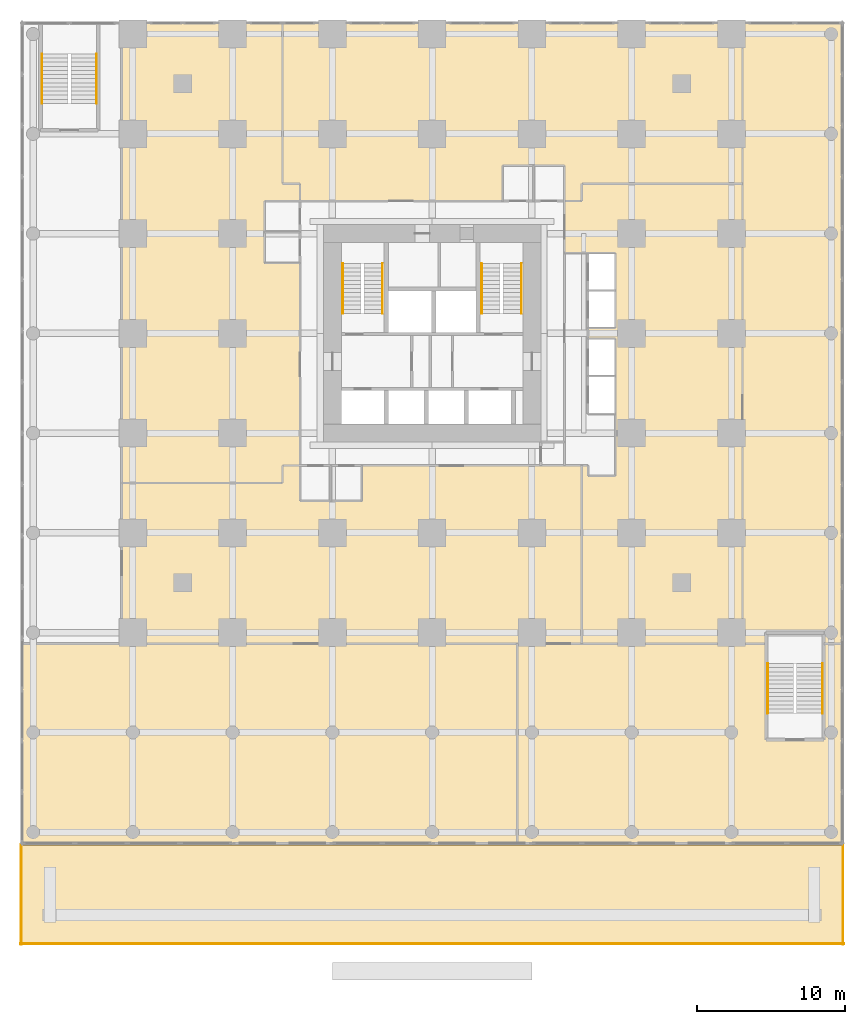
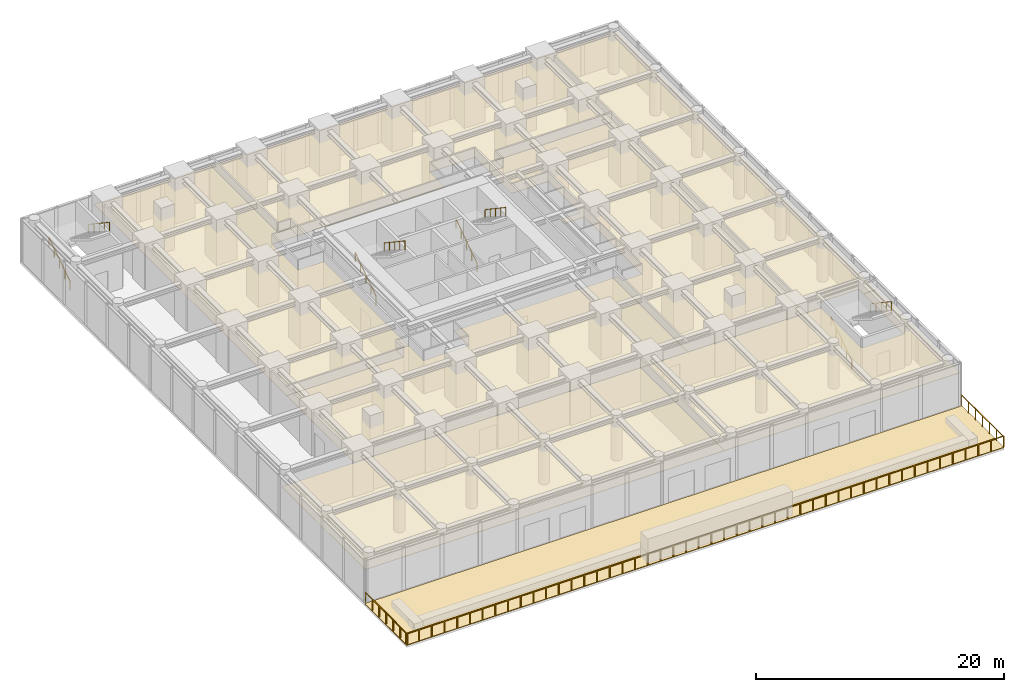
# One storey, part 11 of 11: 11 railings, 8 coverings.
"""IFC4 building model written with IfcOpenShell, lengths in metres."""

from ifc_helpers import new_model, si_unit, direction, frame, origin, origin_2d, place, context, subcontext, project, spatial, polyline, rectangle, outline, extrude, material, layer, layer_set, type_object, element, save


model = new_model("IFC4")

# Units and contexts
model_context = context("Model", 3, precision=1e-05, world=origin(), true_north=direction((0.0, 1.0)))
body_context = subcontext(model_context, "Body", "Model", "MODEL_VIEW")
ifc_project = project(units=[si_unit("LENGTHUNIT", "METRE"), si_unit("AREAUNIT", "SQUARE_METRE"), si_unit("VOLUMEUNIT", "CUBIC_METRE"), si_unit("PLANEANGLEUNIT", "RADIAN"), si_unit("MASSUNIT", "GRAM", prefix="KILO")], contexts=[model_context])

# Site, building, storey
site_placement = place(None, origin())
site = spatial("IfcSite", under=ifc_project, at=site_placement, CompositionType="ELEMENT")
building_placement = place(site_placement, origin())
building = spatial("IfcBuilding", under=site, at=building_placement, Name="Nyansa Garden Tower", CompositionType="ELEMENT")
storey_placement = place(building_placement, frame((0.0, 0.0, 4.5)))
storey = spatial("IfcBuildingStorey", under=building, at=storey_placement, Name="L01", CompositionType="ELEMENT", Elevation=4.5)

# Railings
ifc_material_1 = material(Name="Black powder-coated steel tube 48 mm", Category="steel")
railing_type_1 = type_object("IfcRailingType", Name="Stair handrail HR1", PredefinedType="HANDRAIL", material=ifc_material_1)
railing_1_placement = place(storey_placement, frame((14.199951171875, 21.60009765625, 0.0)))
element("IfcRailing", 1, at=railing_1_placement, inside=storey, type_object=railing_type_1, Name="Stair S1 handrail L01", PredefinedType="HANDRAIL", context=body_context, shape_type="SweptSolid", body=[
    extrude(rectangle(XDim=0.048095703125, YDim=0.048095703125, at=origin_2d()), frame((0.0, 0.0, 0.8759765625), z_axis=(0.0, 0.830896709279, 0.556426687452), x_axis=(-1.0, 0.0, 0.0)), (0.0, 0.0, 1.0), 4.043701171875),
    extrude(rectangle(XDim=0.0419921875, YDim=0.0419921875, at=origin_2d()), origin(), (0.0, 0.0, 1.0), 0.851806640625),
    extrude(rectangle(XDim=0.0419921875, YDim=0.0419921875, at=origin_2d()), frame((0.0, 0.83984375, 0.5625)), (0.0, 0.0, 1.0), 0.851806640625),
    extrude(rectangle(XDim=0.0419921875, YDim=0.0419921875, at=origin_2d()), frame((0.0, 1.679931640625, 1.125)), (0.0, 0.0, 1.0), 0.851806640625),
    extrude(rectangle(XDim=0.0419921875, YDim=0.0419921875, at=origin_2d()), frame((0.0, 2.52001953125, 1.6875)), (0.0, 0.0, 1.0), 0.851806640625),
    extrude(rectangle(XDim=0.0419921875, YDim=0.0419921875, at=origin_2d()), frame((0.0, 3.35986328125, 2.25)), (0.0, 0.0, 1.0), 0.851806640625),
])
railing_2_placement = place(storey_placement, frame((16.89990234375, 24.9599609375, 2.25)))
element("IfcRailing", 2, at=railing_2_placement, inside=storey, type_object=railing_type_1, Name="Stair S1 handrail L01", PredefinedType="HANDRAIL", context=body_context, shape_type="SweptSolid", body=[
    extrude(rectangle(XDim=0.048095703125, YDim=0.048095703125, at=origin_2d()), frame((0.0, 0.0, 0.8759765625), z_axis=(0.0, -0.830896709279, 0.556426687452), x_axis=(1.0, 0.0, 0.0)), (0.0, 0.0, 1.0), 4.043701171875),
    extrude(rectangle(XDim=0.0419921875, YDim=0.0419921875, at=origin_2d()), origin(), (0.0, 0.0, 1.0), 0.851806640625),
    extrude(rectangle(XDim=0.0419921875, YDim=0.0419921875, at=origin_2d()), frame((0.0, -0.83984375, 0.5625)), (0.0, 0.0, 1.0), 0.851806640625),
    extrude(rectangle(XDim=0.0419921875, YDim=0.0419921875, at=origin_2d()), frame((0.0, -1.679931640625, 1.125)), (0.0, 0.0, 1.0), 0.851806640625),
    extrude(rectangle(XDim=0.0419921875, YDim=0.0419921875, at=origin_2d()), frame((0.0, -2.52001953125, 1.6875)), (0.0, 0.0, 1.0), 0.851806640625),
    extrude(rectangle(XDim=0.0419921875, YDim=0.0419921875, at=origin_2d()), frame((0.0, -3.35986328125, 2.25)), (0.0, 0.0, 1.0), 0.851806640625),
])
railing_3_placement = place(storey_placement, frame((23.60009765625, 21.60009765625, 0.0)))
element("IfcRailing", 3, at=railing_3_placement, inside=storey, type_object=railing_type_1, Name="Stair S2 handrail L01", PredefinedType="HANDRAIL", context=body_context, shape_type="SweptSolid", body=[
    extrude(rectangle(XDim=0.048095703125, YDim=0.048095703125, at=origin_2d()), frame((0.0, 0.0, 0.8759765625), z_axis=(0.0, 0.830896709279, 0.556426687452), x_axis=(-1.0, 0.0, 0.0)), (0.0, 0.0, 1.0), 4.043701171875),
    extrude(rectangle(XDim=0.0419921875, YDim=0.0419921875, at=origin_2d()), origin(), (0.0, 0.0, 1.0), 0.851806640625),
    extrude(rectangle(XDim=0.0419921875, YDim=0.0419921875, at=origin_2d()), frame((0.0, 0.83984375, 0.5625)), (0.0, 0.0, 1.0), 0.851806640625),
    extrude(rectangle(XDim=0.0419921875, YDim=0.0419921875, at=origin_2d()), frame((0.0, 1.679931640625, 1.125)), (0.0, 0.0, 1.0), 0.851806640625),
    extrude(rectangle(XDim=0.0419921875, YDim=0.0419921875, at=origin_2d()), frame((0.0, 2.52001953125, 1.6875)), (0.0, 0.0, 1.0), 0.851806640625),
    extrude(rectangle(XDim=0.0419921875, YDim=0.0419921875, at=origin_2d()), frame((0.0, 3.35986328125, 2.25)), (0.0, 0.0, 1.0), 0.851806640625),
])
railing_4_placement = place(storey_placement, frame((26.300048828125, 24.9599609375, 2.25)))
element("IfcRailing", 4, at=railing_4_placement, inside=storey, type_object=railing_type_1, Name="Stair S2 handrail L01", PredefinedType="HANDRAIL", context=body_context, shape_type="SweptSolid", body=[
    extrude(rectangle(XDim=0.048095703125, YDim=0.048095703125, at=origin_2d()), frame((0.0, 0.0, 0.8759765625), z_axis=(0.0, -0.830896709279, 0.556426687452), x_axis=(1.0, 0.0, 0.0)), (0.0, 0.0, 1.0), 4.043701171875),
    extrude(rectangle(XDim=0.0419921875, YDim=0.0419921875, at=origin_2d()), origin(), (0.0, 0.0, 1.0), 0.851806640625),
    extrude(rectangle(XDim=0.0419921875, YDim=0.0419921875, at=origin_2d()), frame((0.0, -0.83984375, 0.5625)), (0.0, 0.0, 1.0), 0.851806640625),
    extrude(rectangle(XDim=0.0419921875, YDim=0.0419921875, at=origin_2d()), frame((0.0, -1.679931640625, 1.125)), (0.0, 0.0, 1.0), 0.851806640625),
    extrude(rectangle(XDim=0.0419921875, YDim=0.0419921875, at=origin_2d()), frame((0.0, -2.52001953125, 1.6875)), (0.0, 0.0, 1.0), 0.851806640625),
    extrude(rectangle(XDim=0.0419921875, YDim=0.0419921875, at=origin_2d()), frame((0.0, -3.35986328125, 2.25)), (0.0, 0.0, 1.0), 0.851806640625),
])
railing_5_placement = place(storey_placement, frame((-6.14990234375, 35.800048828125, 0.0)))
element("IfcRailing", 5, at=railing_5_placement, inside=storey, type_object=railing_type_1, Name="Stair S3 handrail L01", PredefinedType="HANDRAIL", context=body_context, shape_type="SweptSolid", body=[
    extrude(rectangle(XDim=0.048095703125, YDim=0.048095703125, at=origin_2d()), frame((0.0, 0.0, 0.8759765625), z_axis=(0.0, 0.830896709279, 0.556426687452), x_axis=(-1.0, 0.0, 0.0)), (0.0, 0.0, 1.0), 4.043701171875),
    extrude(rectangle(XDim=0.0419921875, YDim=0.0419921875, at=origin_2d()), origin(), (0.0, 0.0, 1.0), 0.851806640625),
    extrude(rectangle(XDim=0.0419921875, YDim=0.0419921875, at=origin_2d()), frame((0.0, 0.83984375, 0.5625)), (0.0, 0.0, 1.0), 0.851806640625),
    extrude(rectangle(XDim=0.0419921875, YDim=0.0419921875, at=origin_2d()), frame((0.0, 1.679931640625, 1.125)), (0.0, 0.0, 1.0), 0.851806640625),
    extrude(rectangle(XDim=0.0419921875, YDim=0.0419921875, at=origin_2d()), frame((0.0, 2.52001953125, 1.6875)), (0.0, 0.0, 1.0), 0.851806640625),
    extrude(rectangle(XDim=0.0419921875, YDim=0.0419921875, at=origin_2d()), frame((0.0, 3.35986328125, 2.25)), (0.0, 0.0, 1.0), 0.851806640625),
])
railing_6_placement = place(storey_placement, frame((-2.449951171875, 39.159912109375, 2.25)))
element("IfcRailing", 6, at=railing_6_placement, inside=storey, type_object=railing_type_1, Name="Stair S3 handrail L01", PredefinedType="HANDRAIL", context=body_context, shape_type="SweptSolid", body=[
    extrude(rectangle(XDim=0.048095703125, YDim=0.048095703125, at=origin_2d()), frame((0.0, 0.0, 0.8759765625), z_axis=(0.0, -0.830896709279, 0.556426687452), x_axis=(1.0, 0.0, 0.0)), (0.0, 0.0, 1.0), 4.043701171875),
    extrude(rectangle(XDim=0.0419921875, YDim=0.0419921875, at=origin_2d()), origin(), (0.0, 0.0, 1.0), 0.851806640625),
    extrude(rectangle(XDim=0.0419921875, YDim=0.0419921875, at=origin_2d()), frame((0.0, -0.83984375, 0.5625)), (0.0, 0.0, 1.0), 0.851806640625),
    extrude(rectangle(XDim=0.0419921875, YDim=0.0419921875, at=origin_2d()), frame((0.0, -1.679931640625, 1.125)), (0.0, 0.0, 1.0), 0.851806640625),
    extrude(rectangle(XDim=0.0419921875, YDim=0.0419921875, at=origin_2d()), frame((0.0, -2.52001953125, 1.6875)), (0.0, 0.0, 1.0), 0.851806640625),
    extrude(rectangle(XDim=0.0419921875, YDim=0.0419921875, at=origin_2d()), frame((0.0, -3.35986328125, 2.25)), (0.0, 0.0, 1.0), 0.851806640625),
])
railing_7_placement = place(storey_placement, frame((42.949951171875, -5.449951171875, 0.0)))
element("IfcRailing", 7, at=railing_7_placement, inside=storey, type_object=railing_type_1, Name="Stair S4 handrail L01", PredefinedType="HANDRAIL", context=body_context, shape_type="SweptSolid", body=[
    extrude(rectangle(XDim=0.048095703125, YDim=0.048095703125, at=origin_2d()), frame((0.0, 0.0, 0.8759765625), z_axis=(0.0, 0.830896709279, 0.556426687452), x_axis=(-1.0, 0.0, 0.0)), (0.0, 0.0, 1.0), 4.043701171875),
    extrude(rectangle(XDim=0.0419921875, YDim=0.0419921875, at=origin_2d()), origin(), (0.0, 0.0, 1.0), 0.851806640625),
    extrude(rectangle(XDim=0.0419921875, YDim=0.0419921875, at=origin_2d()), frame((0.0, 0.83984375, 0.5625)), (0.0, 0.0, 1.0), 0.851806640625),
    extrude(rectangle(XDim=0.0419921875, YDim=0.0419921875, at=origin_2d()), frame((0.0, 1.679931640625, 1.125)), (0.0, 0.0, 1.0), 0.851806640625),
    extrude(rectangle(XDim=0.0419921875, YDim=0.0419921875, at=origin_2d()), frame((0.0, 2.52001953125, 1.6875)), (0.0, 0.0, 1.0), 0.851806640625),
    extrude(rectangle(XDim=0.0419921875, YDim=0.0419921875, at=origin_2d()), frame((0.0, 3.35986328125, 2.25)), (0.0, 0.0, 1.0), 0.851806640625),
])
railing_8_placement = place(storey_placement, frame((46.64990234375, -2.090087890625, 2.25)))
element("IfcRailing", 8, at=railing_8_placement, inside=storey, type_object=railing_type_1, Name="Stair S4 handrail L01", PredefinedType="HANDRAIL", context=body_context, shape_type="SweptSolid", body=[
    extrude(rectangle(XDim=0.048095703125, YDim=0.048095703125, at=origin_2d()), frame((0.0, 0.0, 0.8759765625), z_axis=(0.0, -0.830896709279, 0.556426687452), x_axis=(1.0, 0.0, 0.0)), (0.0, 0.0, 1.0), 4.043701171875),
    extrude(rectangle(XDim=0.0419921875, YDim=0.0419921875, at=origin_2d()), origin(), (0.0, 0.0, 1.0), 0.851806640625),
    extrude(rectangle(XDim=0.0419921875, YDim=0.0419921875, at=origin_2d()), frame((0.0, -0.83984375, 0.5625)), (0.0, 0.0, 1.0), 0.851806640625),
    extrude(rectangle(XDim=0.0419921875, YDim=0.0419921875, at=origin_2d()), frame((0.0, -1.679931640625, 1.125)), (0.0, 0.0, 1.0), 0.851806640625),
    extrude(rectangle(XDim=0.0419921875, YDim=0.0419921875, at=origin_2d()), frame((0.0, -2.52001953125, 1.6875)), (0.0, 0.0, 1.0), 0.851806640625),
    extrude(rectangle(XDim=0.0419921875, YDim=0.0419921875, at=origin_2d()), frame((0.0, -3.35986328125, 2.25)), (0.0, 0.0, 1.0), 0.851806640625),
])
ifc_material_2 = material(Name="Black powder-coated steel, laminated glass infill", Category="steel")
railing_type_2 = type_object("IfcRailingType", Name="Terrace guard G2", PredefinedType="GUARDRAIL", material=ifc_material_2)
railing_9_placement = place(storey_placement, frame((48.050048828125, -14.35009765625, 0.0)))
element("IfcRailing", 9, at=railing_9_placement, inside=storey, type_object=railing_type_2, Name="Terrace guard L01", PredefinedType="GUARDRAIL", context=body_context, shape_type="SweptSolid", body=[
    extrude(rectangle(XDim=0.048095703125, YDim=0.048095703125, at=origin_2d()), frame((0.0, 0.0, 1.076171875), z_axis=(0.0, -1.0, 0.0), x_axis=(1.0, 0.0, 0.0)), (0.0, 0.0, 1.0), 6.75),
    extrude(rectangle(XDim=0.0419921875, YDim=0.0419921875, at=origin_2d()), origin(), (0.0, 0.0, 1.0), 1.052001953125),
    extrude(rectangle(XDim=0.0419921875, YDim=0.0419921875, at=origin_2d()), frame((0.0, -1.125, 0.0)), (0.0, 0.0, 1.0), 1.052001953125),
    extrude(rectangle(XDim=0.0419921875, YDim=0.0419921875, at=origin_2d()), frame((0.0, -2.25, 0.0)), (0.0, 0.0, 1.0), 1.052001953125),
    extrude(rectangle(XDim=0.0419921875, YDim=0.0419921875, at=origin_2d()), frame((0.0, -3.375, 0.0)), (0.0, 0.0, 1.0), 1.052001953125),
    extrude(rectangle(XDim=0.0419921875, YDim=0.0419921875, at=origin_2d()), frame((0.0, -4.5, 0.0)), (0.0, 0.0, 1.0), 1.052001953125),
    extrude(rectangle(XDim=0.0419921875, YDim=0.0419921875, at=origin_2d()), frame((0.0, -5.625, 0.0)), (0.0, 0.0, 1.0), 1.052001953125),
    extrude(rectangle(XDim=0.0419921875, YDim=0.0419921875, at=origin_2d()), frame((0.0, -6.75, 0.0)), (0.0, 0.0, 1.0), 1.052001953125),
])
railing_10_placement = place(storey_placement, frame((48.10009765625, -21.050048828125, 0.0)))
element("IfcRailing", 10, at=railing_10_placement, inside=storey, type_object=railing_type_2, Name="Terrace guard L01", PredefinedType="GUARDRAIL", context=body_context, shape_type="SweptSolid", body=[
    extrude(rectangle(XDim=0.048095703125, YDim=0.048095703125, at=origin_2d()), frame((0.0, 0.0, 1.076171875), z_axis=(-1.0, 0.0, 0.0), x_axis=(0.0, -1.0, 0.0)), (0.0, 0.0, 1.0), 55.7001953125),
    extrude(rectangle(XDim=0.0419921875, YDim=0.0419921875, at=origin_2d()), origin(), (0.0, 0.0, 1.0), 1.052001953125),
    extrude(rectangle(XDim=0.0419921875, YDim=0.0419921875, at=origin_2d()), frame((-1.18505859375, 0.0, 0.0)), (0.0, 0.0, 1.0), 1.052001953125),
    extrude(rectangle(XDim=0.0419921875, YDim=0.0419921875, at=origin_2d()), frame((-2.3701171875, 0.0, 0.0)), (0.0, 0.0, 1.0), 1.052001953125),
    extrude(rectangle(XDim=0.0419921875, YDim=0.0419921875, at=origin_2d()), frame((-3.555419921875, 0.0, 0.0)), (0.0, 0.0, 1.0), 1.052001953125),
    extrude(rectangle(XDim=0.0419921875, YDim=0.0419921875, at=origin_2d()), frame((-4.740478515625, 0.0, 0.0)), (0.0, 0.0, 1.0), 1.052001953125),
    extrude(rectangle(XDim=0.0419921875, YDim=0.0419921875, at=origin_2d()), frame((-5.925537109375, 0.0, 0.0)), (0.0, 0.0, 1.0), 1.052001953125),
    extrude(rectangle(XDim=0.0419921875, YDim=0.0419921875, at=origin_2d()), frame((-7.110595703125, 0.0, 0.0)), (0.0, 0.0, 1.0), 1.052001953125),
    extrude(rectangle(XDim=0.0419921875, YDim=0.0419921875, at=origin_2d()), frame((-8.295654296875, 0.0, 0.0)), (0.0, 0.0, 1.0), 1.052001953125),
    extrude(rectangle(XDim=0.0419921875, YDim=0.0419921875, at=origin_2d()), frame((-9.48095703125, 0.0, 0.0)), (0.0, 0.0, 1.0), 1.052001953125),
    extrude(rectangle(XDim=0.0419921875, YDim=0.0419921875, at=origin_2d()), frame((-10.666015625, 0.0, 0.0)), (0.0, 0.0, 1.0), 1.052001953125),
    extrude(rectangle(XDim=0.0419921875, YDim=0.0419921875, at=origin_2d()), frame((-11.85107421875, 0.0, 0.0)), (0.0, 0.0, 1.0), 1.052001953125),
    extrude(rectangle(XDim=0.0419921875, YDim=0.0419921875, at=origin_2d()), frame((-13.0361328125, 0.0, 0.0)), (0.0, 0.0, 1.0), 1.052001953125),
    extrude(rectangle(XDim=0.0419921875, YDim=0.0419921875, at=origin_2d()), frame((-14.221435546875, 0.0, 0.0)), (0.0, 0.0, 1.0), 1.052001953125),
    extrude(rectangle(XDim=0.0419921875, YDim=0.0419921875, at=origin_2d()), frame((-15.406494140625, 0.0, 0.0)), (0.0, 0.0, 1.0), 1.052001953125),
    extrude(rectangle(XDim=0.0419921875, YDim=0.0419921875, at=origin_2d()), frame((-16.591552734375, 0.0, 0.0)), (0.0, 0.0, 1.0), 1.052001953125),
    extrude(rectangle(XDim=0.0419921875, YDim=0.0419921875, at=origin_2d()), frame((-17.776611328125, 0.0, 0.0)), (0.0, 0.0, 1.0), 1.052001953125),
    extrude(rectangle(XDim=0.0419921875, YDim=0.0419921875, at=origin_2d()), frame((-18.961669921875, 0.0, 0.0)), (0.0, 0.0, 1.0), 1.052001953125),
    extrude(rectangle(XDim=0.0419921875, YDim=0.0419921875, at=origin_2d()), frame((-20.14697265625, 0.0, 0.0)), (0.0, 0.0, 1.0), 1.052001953125),
    extrude(rectangle(XDim=0.0419921875, YDim=0.0419921875, at=origin_2d()), frame((-21.33203125, 0.0, 0.0)), (0.0, 0.0, 1.0), 1.052001953125),
    extrude(rectangle(XDim=0.0419921875, YDim=0.0419921875, at=origin_2d()), frame((-22.51708984375, 0.0, 0.0)), (0.0, 0.0, 1.0), 1.052001953125),
    extrude(rectangle(XDim=0.0419921875, YDim=0.0419921875, at=origin_2d()), frame((-23.7021484375, 0.0, 0.0)), (0.0, 0.0, 1.0), 1.052001953125),
    extrude(rectangle(XDim=0.0419921875, YDim=0.0419921875, at=origin_2d()), frame((-24.88720703125, 0.0, 0.0)), (0.0, 0.0, 1.0), 1.052001953125),
    extrude(rectangle(XDim=0.0419921875, YDim=0.0419921875, at=origin_2d()), frame((-26.072509765625, 0.0, 0.0)), (0.0, 0.0, 1.0), 1.052001953125),
    extrude(rectangle(XDim=0.0419921875, YDim=0.0419921875, at=origin_2d()), frame((-27.257568359375, 0.0, 0.0)), (0.0, 0.0, 1.0), 1.052001953125),
    extrude(rectangle(XDim=0.0419921875, YDim=0.0419921875, at=origin_2d()), frame((-28.442626953125, 0.0, 0.0)), (0.0, 0.0, 1.0), 1.052001953125),
    extrude(rectangle(XDim=0.0419921875, YDim=0.0419921875, at=origin_2d()), frame((-29.627685546875, 0.0, 0.0)), (0.0, 0.0, 1.0), 1.052001953125),
    extrude(rectangle(XDim=0.0419921875, YDim=0.0419921875, at=origin_2d()), frame((-30.81298828125, 0.0, 0.0)), (0.0, 0.0, 1.0), 1.052001953125),
    extrude(rectangle(XDim=0.0419921875, YDim=0.0419921875, at=origin_2d()), frame((-31.998046875, 0.0, 0.0)), (0.0, 0.0, 1.0), 1.052001953125),
    extrude(rectangle(XDim=0.0419921875, YDim=0.0419921875, at=origin_2d()), frame((-33.18310546875, 0.0, 0.0)), (0.0, 0.0, 1.0), 1.052001953125),
    extrude(rectangle(XDim=0.0419921875, YDim=0.0419921875, at=origin_2d()), frame((-34.3681640625, 0.0, 0.0)), (0.0, 0.0, 1.0), 1.052001953125),
    extrude(rectangle(XDim=0.0419921875, YDim=0.0419921875, at=origin_2d()), frame((-35.55322265625, 0.0, 0.0)), (0.0, 0.0, 1.0), 1.052001953125),
    extrude(rectangle(XDim=0.0419921875, YDim=0.0419921875, at=origin_2d()), frame((-36.738525390625, 0.0, 0.0)), (0.0, 0.0, 1.0), 1.052001953125),
    extrude(rectangle(XDim=0.0419921875, YDim=0.0419921875, at=origin_2d()), frame((-37.923583984375, 0.0, 0.0)), (0.0, 0.0, 1.0), 1.052001953125),
    extrude(rectangle(XDim=0.0419921875, YDim=0.0419921875, at=origin_2d()), frame((-39.108642578125, 0.0, 0.0)), (0.0, 0.0, 1.0), 1.052001953125),
    extrude(rectangle(XDim=0.0419921875, YDim=0.0419921875, at=origin_2d()), frame((-40.293701171875, 0.0, 0.0)), (0.0, 0.0, 1.0), 1.052001953125),
    extrude(rectangle(XDim=0.0419921875, YDim=0.0419921875, at=origin_2d()), frame((-41.478759765625, 0.0, 0.0)), (0.0, 0.0, 1.0), 1.052001953125),
    extrude(rectangle(XDim=0.0419921875, YDim=0.0419921875, at=origin_2d()), frame((-42.6640625, 0.0, 0.0)), (0.0, 0.0, 1.0), 1.052001953125),
    extrude(rectangle(XDim=0.0419921875, YDim=0.0419921875, at=origin_2d()), frame((-43.84912109375, 0.0, 0.0)), (0.0, 0.0, 1.0), 1.052001953125),
    extrude(rectangle(XDim=0.0419921875, YDim=0.0419921875, at=origin_2d()), frame((-45.0341796875, 0.0, 0.0)), (0.0, 0.0, 1.0), 1.052001953125),
    extrude(rectangle(XDim=0.0419921875, YDim=0.0419921875, at=origin_2d()), frame((-46.21923828125, 0.0, 0.0)), (0.0, 0.0, 1.0), 1.052001953125),
    extrude(rectangle(XDim=0.0419921875, YDim=0.0419921875, at=origin_2d()), frame((-47.404541015625, 0.0, 0.0)), (0.0, 0.0, 1.0), 1.052001953125),
    extrude(rectangle(XDim=0.0419921875, YDim=0.0419921875, at=origin_2d()), frame((-48.589599609375, 0.0, 0.0)), (0.0, 0.0, 1.0), 1.052001953125),
    extrude(rectangle(XDim=0.0419921875, YDim=0.0419921875, at=origin_2d()), frame((-49.774658203125, 0.0, 0.0)), (0.0, 0.0, 1.0), 1.052001953125),
    extrude(rectangle(XDim=0.0419921875, YDim=0.0419921875, at=origin_2d()), frame((-50.959716796875, 0.0, 0.0)), (0.0, 0.0, 1.0), 1.052001953125),
    extrude(rectangle(XDim=0.0419921875, YDim=0.0419921875, at=origin_2d()), frame((-52.144775390625, 0.0, 0.0)), (0.0, 0.0, 1.0), 1.052001953125),
    extrude(rectangle(XDim=0.0419921875, YDim=0.0419921875, at=origin_2d()), frame((-53.330078125, 0.0, 0.0)), (0.0, 0.0, 1.0), 1.052001953125),
    extrude(rectangle(XDim=0.0419921875, YDim=0.0419921875, at=origin_2d()), frame((-54.51513671875, 0.0, 0.0)), (0.0, 0.0, 1.0), 1.052001953125),
    extrude(rectangle(XDim=0.0419921875, YDim=0.0419921875, at=origin_2d()), frame((-55.7001953125, 0.0, 0.0)), (0.0, 0.0, 1.0), 1.052001953125),
])
railing_11_placement = place(storey_placement, frame((-7.550048828125, -21.10009765625, 0.0)))
element("IfcRailing", 11, at=railing_11_placement, inside=storey, type_object=railing_type_2, Name="Terrace guard L01", PredefinedType="GUARDRAIL", context=body_context, shape_type="SweptSolid", body=[
    extrude(rectangle(XDim=0.048095703125, YDim=0.048095703125, at=origin_2d()), frame((0.0, 0.0, 1.076171875), z_axis=(0.0, 1.0, 0.0), x_axis=(-1.0, 0.0, 0.0)), (0.0, 0.0, 1.0), 6.75),
    extrude(rectangle(XDim=0.0419921875, YDim=0.0419921875, at=origin_2d()), origin(), (0.0, 0.0, 1.0), 1.052001953125),
    extrude(rectangle(XDim=0.0419921875, YDim=0.0419921875, at=origin_2d()), frame((0.0, 1.125, 0.0)), (0.0, 0.0, 1.0), 1.052001953125),
    extrude(rectangle(XDim=0.0419921875, YDim=0.0419921875, at=origin_2d()), frame((0.0, 2.25, 0.0)), (0.0, 0.0, 1.0), 1.052001953125),
    extrude(rectangle(XDim=0.0419921875, YDim=0.0419921875, at=origin_2d()), frame((0.0, 3.375, 0.0)), (0.0, 0.0, 1.0), 1.052001953125),
    extrude(rectangle(XDim=0.0419921875, YDim=0.0419921875, at=origin_2d()), frame((0.0, 4.5, 0.0)), (0.0, 0.0, 1.0), 1.052001953125),
    extrude(rectangle(XDim=0.0419921875, YDim=0.0419921875, at=origin_2d()), frame((0.0, 5.625, 0.0)), (0.0, 0.0, 1.0), 1.052001953125),
    extrude(rectangle(XDim=0.0419921875, YDim=0.0419921875, at=origin_2d()), frame((0.0, 6.75, 0.0)), (0.0, 0.0, 1.0), 1.052001953125),
])

# Coverings
ifc_material_3 = material(Name="Terracotta and turquoise glazed tile paving on pedestals", Category="masonry")
ifc_layer_1 = layer(ifc_material_3, 0.06005859375)
ifc_layer_set_1 = layer_set([ifc_layer_1], Name="Terrace paving PV60")
covering_type_1 = type_object("IfcCoveringType", Name="Terrace paving PV60", PredefinedType="USERDEFINED", material=ifc_layer_set_1)
covering_1_placement = place(storey_placement, frame((0.0, 0.0, -0.06005859375)))
element("IfcCovering", 12, at=covering_1_placement, inside=storey, type_object=covering_type_1, Name="Terrace paving L01", ObjectType="PAVING", PredefinedType="USERDEFINED", context=body_context, shape_type="SweptSolid", body=[
    extrude(outline(polyline([(-7.60009765625, -21.10009765625), (-7.60009765625, -14.35009765625), (48.10009765625, -14.35009765625), (48.10009765625, -21.10009765625), (-7.60009765625, -21.10009765625)])), origin(), (0.0, 0.0, 1.0), 0.06005859375),
])
ifc_material_4 = material(Name="Glazed ceramic tile coffers on suspended grid")
ifc_layer_2 = layer(ifc_material_4, 0.0400390625)
ifc_layer_set_2 = layer_set([ifc_layer_2], Name="Tiled coffered ceiling CL40")
covering_type_2 = type_object("IfcCoveringType", Name="Tiled coffered ceiling CL40", PredefinedType="CEILING", material=ifc_layer_set_2)
covering_2_placement = place(storey_placement, frame((0.0, 0.0, 3.2099609375)))
element("IfcCovering", 13, at=covering_2_placement, inside=storey, type_object=covering_type_2, Name="Ceiling L01-020", PredefinedType="CEILING", context=body_context, shape_type="SweptSolid", body=[
    extrude(outline(polyline([(10.125, 10.125), (10.125, 11.300048828125), (11.300048828125, 11.300048828125), (11.300048828125, 8.89990234375), (15.5, 8.89990234375), (15.5, 11.300048828125), (30.375, 11.300048828125), (30.375, -0.75), (-0.75, -0.75), (-0.75, 10.125), (10.125, 10.125)])), origin(), (0.0, 0.0, 1.0), 0.0400390625),
])
covering_3_placement = place(storey_placement, frame((0.0, 0.0, 3.2099609375)))
element("IfcCovering", 14, at=covering_3_placement, inside=storey, type_object=covering_type_2, Name="Ceiling L01-023", PredefinedType="CEILING", context=body_context, shape_type="SweptSolid", body=[
    extrude(outline(polyline([(30.800048828125, 11.300048828125), (30.800048828125, 10.60009765625), (32.64990234375, 10.60009765625), (32.64990234375, 19.89990234375), (30.800048828125, 19.89990234375), (30.800048828125, 20.60009765625), (32.64990234375, 20.60009765625), (32.64990234375, 25.699951171875), (29.199951171875, 25.699951171875), (29.199951171875, 29.199951171875), (30.375, 29.199951171875), (30.375, 30.375), (41.25, 30.375), (41.25, -0.75), (30.375, -0.75), (30.375, 11.300048828125), (30.800048828125, 11.300048828125)])), origin(), (0.0, 0.0, 1.0), 0.0400390625),
])
covering_4_placement = place(storey_placement, frame((0.0, 0.0, 3.2099609375)))
element("IfcCovering", 15, at=covering_4_placement, inside=storey, type_object=covering_type_2, Name="Ceiling L01-026", PredefinedType="CEILING", context=body_context, shape_type="SweptSolid", body=[
    extrude(outline(polyline([(41.25, 30.375), (30.375, 30.375), (30.375, 29.199951171875), (29.199951171875, 29.199951171875), (29.199951171875, 31.60009765625), (25.0, 31.60009765625), (25.0, 29.199951171875), (11.300048828125, 29.199951171875), (11.300048828125, 30.375), (10.125, 30.375), (10.125, 41.25), (41.25, 41.25), (41.25, 30.375)])), origin(), (0.0, 0.0, 1.0), 0.0400390625),
])
covering_5_placement = place(storey_placement, frame((0.0, 0.0, 3.2099609375)))
element("IfcCovering", 16, at=covering_5_placement, inside=storey, type_object=covering_type_2, Name="Ceiling L01-029", PredefinedType="CEILING", context=body_context, shape_type="SweptSolid", body=[
    extrude(outline(polyline([(10.125, 41.25), (10.125, 30.375), (11.300048828125, 30.375), (11.300048828125, 29.199951171875), (8.89990234375, 29.199951171875), (8.89990234375, 25.0), (11.300048828125, 25.0), (11.300048828125, 11.300048828125), (10.125, 11.300048828125), (10.125, 10.125), (-0.75, 10.125), (-0.75, 41.25), (10.125, 41.25)])), origin(), (0.0, 0.0, 1.0), 0.0400390625),
])
covering_6_placement = place(storey_placement, frame((0.0, 0.0, 3.2099609375)))
element("IfcCovering", 17, at=covering_6_placement, inside=storey, type_object=covering_type_2, Name="Ceiling L01-030", PredefinedType="CEILING", context=body_context, shape_type="SweptSolid", body=[
    extrude(outline(polyline([(26.0, -14.25), (-7.5, -14.25), (-7.5, -0.75), (26.0, -0.75), (26.0, -14.25)])), origin(), (0.0, 0.0, 1.0), 0.0400390625),
])
covering_7_placement = place(storey_placement, frame((0.0, 0.0, 3.2099609375)))
element("IfcCovering", 18, at=covering_7_placement, inside=storey, type_object=covering_type_2, Name="Ceiling L01-031", PredefinedType="CEILING", context=body_context, shape_type="SweptSolid", body=[
    extrude(outline(polyline([(42.85009765625, -0.75), (42.85009765625, -7.25), (46.75, -7.25), (46.75, -0.75), (48.0, -0.75), (48.0, -14.25), (26.0, -14.25), (26.0, -0.75), (42.85009765625, -0.75)])), origin(), (0.0, 0.0, 1.0), 0.0400390625),
])
covering_8_placement = place(storey_placement, frame((0.0, 0.0, 3.2099609375)))
element("IfcCovering", 19, at=covering_8_placement, inside=storey, type_object=covering_type_2, Name="Ceiling L01-033", PredefinedType="CEILING", context=body_context, shape_type="SweptSolid", body=[
    extrude(outline(polyline([(48.0, 41.25), (48.0, -0.75), (46.75, -0.75), (46.75, 0.0), (42.85009765625, 0.0), (42.85009765625, -0.75), (41.25, -0.75), (41.25, 41.25), (48.0, 41.25)])), origin(), (0.0, 0.0, 1.0), 0.0400390625),
])

save(model, "model.ifc")
